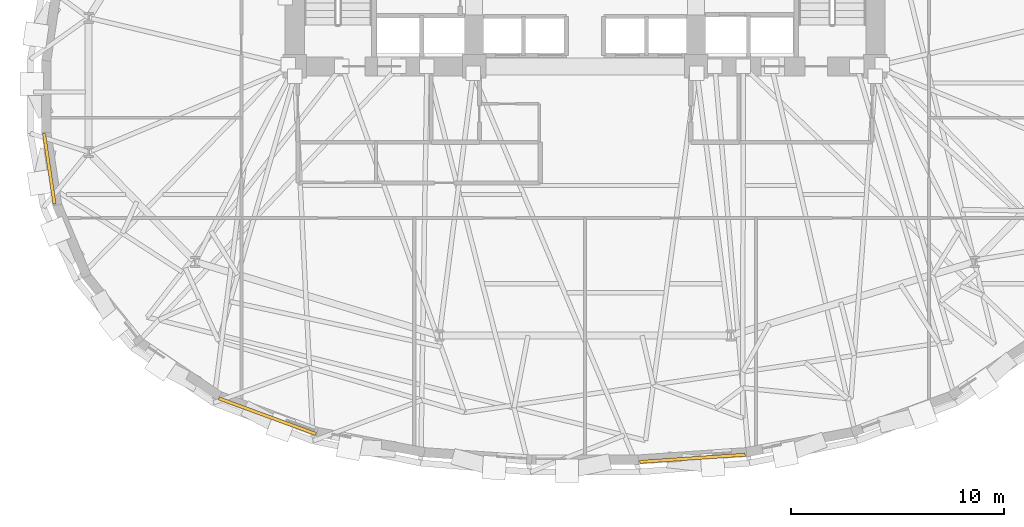
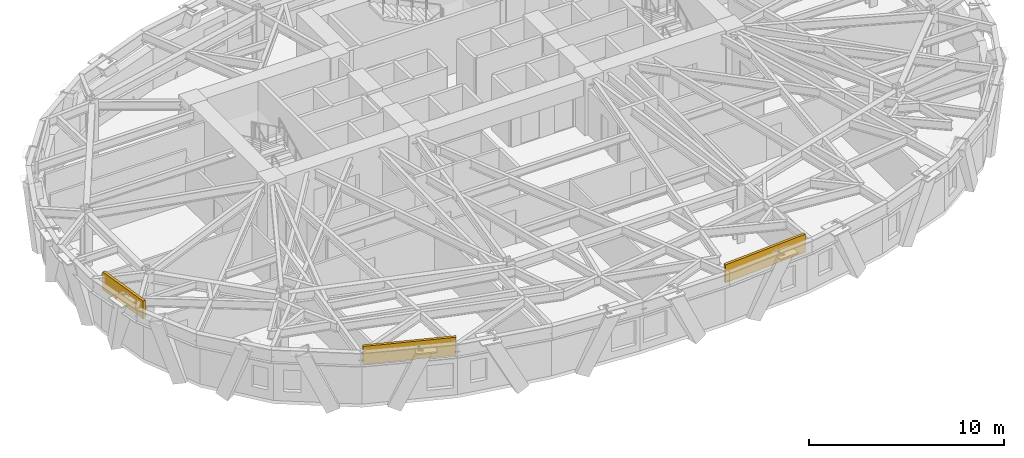
# One storey, part 10 of 13: 3 coverings.
"""IFC4 building model written with IfcOpenShell, lengths in metres."""

from ifc_helpers import new_model, si_unit, direction, frame, origin, origin_2d, place, context, subcontext, project, spatial, rectangle, extrude, material, layer, layer_set, type_object, element, save


model = new_model("IFC4")

# Units and contexts
model_context = context("Model", 3, precision=1e-05, world=origin(), true_north=direction((0.0, 1.0)))
body_context = subcontext(model_context, "Body", "Model", "MODEL_VIEW")
ifc_project = project(units=[si_unit("LENGTHUNIT", "METRE"), si_unit("AREAUNIT", "SQUARE_METRE"), si_unit("VOLUMEUNIT", "CUBIC_METRE"), si_unit("PLANEANGLEUNIT", "RADIAN"), si_unit("MASSUNIT", "GRAM", prefix="KILO")], contexts=[model_context])

# Site, building, storey
site_placement = place(None, origin())
site = spatial("IfcSite", under=ifc_project, at=site_placement, CompositionType="ELEMENT")
building_placement = place(site_placement, origin())
building = spatial("IfcBuilding", under=site, at=building_placement, Name="Keldmark Tower", CompositionType="ELEMENT")
storey_placement = place(building_placement, frame((0.0, 0.0, 30.60009765625)))
storey = spatial("IfcBuildingStorey", under=building, at=storey_placement, Name="L07", CompositionType="ELEMENT", Elevation=30.60009765625)

# Coverings
ifc_material = material(Name="Honed Kasota Buff Dolomitic Limestone", Category="masonry")
ifc_layer = layer(ifc_material, 0.074951171875)
ifc_layer_set = layer_set([ifc_layer], Name="Honed Kasota Buff Dolomitic Limestone")
covering_type = type_object("IfcCoveringType", Name="Kasota Buff Limestone Spandrel Cladding Band", PredefinedType="CLADDING", material=ifc_layer_set)
covering_1_placement = place(storey_placement, frame((-25.095703125, -3.39501953125, 2.452880859375), z_axis=(0.0, 0.0, 1.0), x_axis=(0.146980803365, -0.989139344805, 0.0)))
element("IfcCovering", 1, at=covering_1_placement, inside=storey, type_object=covering_type, Name="L07 Kasota Limestone Spandrel Band 17", PredefinedType="CLADDING", context=body_context, shape_type="SweptSolid", body=[
    extrude(rectangle(XDim=3.34423828125, YDim=0.14990234375, at=origin_2d()), origin(), (0.0, 0.0, 1.0), 1.126953125),
])
covering_2_placement = place(storey_placement, frame((-14.879150390625, -14.9833984375, 2.452880859375), z_axis=(0.0, 0.0, 1.0), x_axis=(0.938715810906, -0.344692074692, 0.0)))
element("IfcCovering", 2, at=covering_2_placement, inside=storey, type_object=covering_type, Name="L07 Kasota Limestone Spandrel Band 21", PredefinedType="CLADDING", context=body_context, shape_type="SweptSolid", body=[
    extrude(rectangle(XDim=4.84716796875, YDim=0.14990234375, at=origin_2d()), origin(), (0.0, 0.0, 1.0), 1.126953125),
])
covering_3_placement = place(storey_placement, frame((5.030517578125, -16.955810546875, 2.452880859375), z_axis=(0.0, 0.0, 1.0), x_axis=(0.99768783874, 0.067963051945, 0.0)))
element("IfcCovering", 3, at=covering_3_placement, inside=storey, type_object=covering_type, Name="L07 Kasota Limestone Spandrel Band 25", PredefinedType="CLADDING", context=body_context, shape_type="SweptSolid", body=[
    extrude(rectangle(XDim=4.95263671875, YDim=0.14990234375, at=origin_2d()), origin(), (0.0, 0.0, 1.0), 1.126953125),
])

save(model, "model.ifc")
